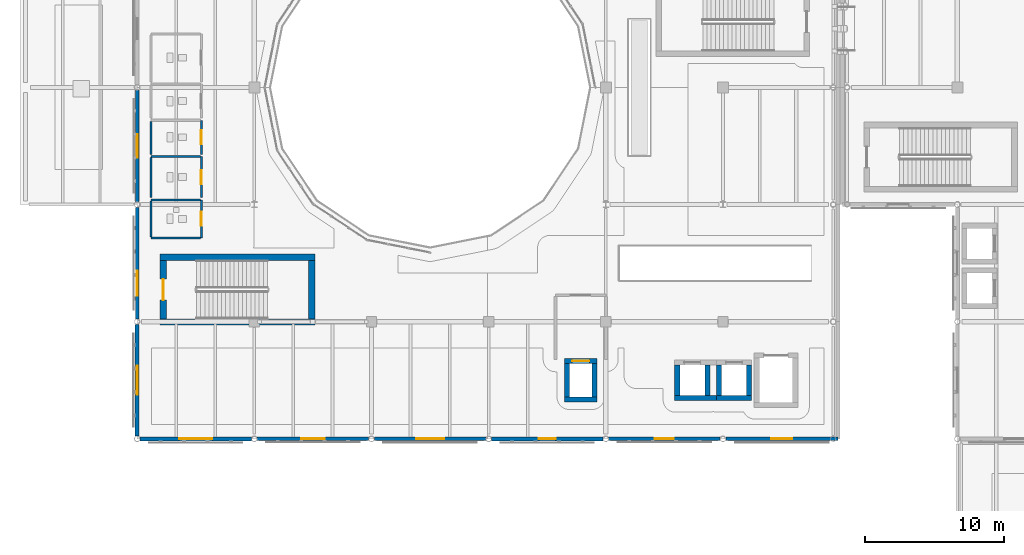
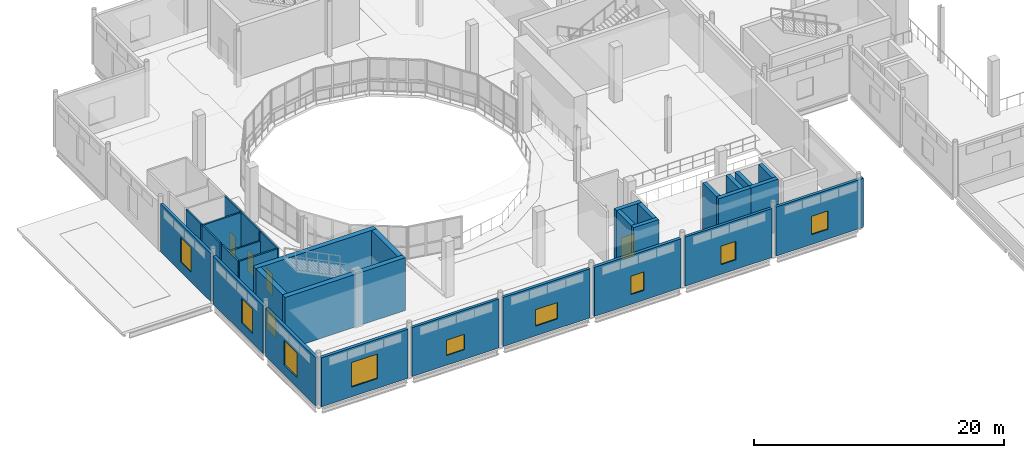
# One storey, part 64 of 110: 32 walls, 9 windows, 5 doors, 14 openings.
"""IFC4 building model written with IfcOpenShell, lengths in metres."""

from ifc_helpers import new_model, si_unit, direction, frame, frame_2d, origin, place, context, subcontext, project, spatial, rectangle, extrude, material, layer, layer_set, type_object, element, fill, save


model = new_model("IFC4")

# Units and contexts
model_context = context("Model", 3, precision=1e-05, world=origin(), true_north=direction((0.0, 1.0)))
body_context = subcontext(model_context, "Body", "Model", "MODEL_VIEW")
ifc_project = project(units=[si_unit("LENGTHUNIT", "METRE"), si_unit("AREAUNIT", "SQUARE_METRE"), si_unit("VOLUMEUNIT", "CUBIC_METRE"), si_unit("PLANEANGLEUNIT", "RADIAN"), si_unit("MASSUNIT", "GRAM", prefix="KILO"), si_unit("THERMODYNAMICTEMPERATUREUNIT", "KELVIN")], contexts=[model_context])

# Site, building, storey
site_placement = place(None, origin())
site = spatial("IfcSite", under=ifc_project, at=site_placement, CompositionType="ELEMENT")
building_placement = place(site_placement, origin())
building = spatial("IfcBuilding", under=site, at=building_placement, Name="Lustrewick Department Store", CompositionType="ELEMENT")
storey_placement = place(building_placement, frame((0.0, 0.0, 6.0)))
storey = spatial("IfcBuildingStorey", under=building, at=storey_placement, Name="L02", CompositionType="ELEMENT", Elevation=6.0)

# Wall, opening, window
ifc_material_1 = material(Name="Precast concrete C40", Category="concrete")
ifc_layer_1 = layer(ifc_material_1, 0.239990234375, Name="Precast concrete C40")
ifc_layer_set_1 = layer_set([ifc_layer_1], Name="Precast concrete C40")
wall_type_1 = type_object("IfcWallType", Name="EW01", PredefinedType="STANDARD", material=ifc_layer_set_1)
wall_1_placement = place(storey_placement, frame((8.39990234375, 67.001953125, 0.0), z_axis=(0.0, 0.0, 1.0), x_axis=(0.0, -1.0, 0.0)))
wall_1 = element("IfcWall", 1, at=wall_1_placement, inside=storey, type_object=wall_type_1, Name="L02 V1 Exterior Wall EW01", PredefinedType="STANDARD", context=body_context, shape_type="SweptSolid", body=[
    extrude(rectangle(XDim=8.00390625, YDim=0.239990234375, at=frame_2d((4.001953125, 0.0))), origin(), (0.0, 0.0, 1.0), 4.697021484375),
])
opening_1_placement = place(wall_1_placement, frame((3.162109375, 0.0, 0.949951171875)))
opening_1 = element("IfcOpeningElement", 2, at=opening_1_placement, cuts=wall_1, Name="Opening WN15", PredefinedType="OPENING", context=body_context, shape_type="SweptSolid", body=[
    extrude(rectangle(XDim=1.679931640625, YDim=2.39990234375, at=frame_2d((0.83984375, 1.199951171875))), frame((0.0, 0.1298828125, 0.0), z_axis=(0.0, -1.0, 0.0), x_axis=(1.0, 0.0, 0.0)), (0.0, 0.0, 1.0), 0.260009765625),
])
ifc_material_2 = material(Name="Thermally broken Low-E triple-glazed window", Category="glass")
window_type_1 = type_object("IfcWindowType", Name="WN15", PartitioningType="DOUBLE_PANEL_VERTICAL", PredefinedType="WINDOW", material=ifc_material_2)
window_1_placement = place(opening_1_placement, origin())
window_1 = element("IfcWindow", 3, at=window_1_placement, inside=storey, type_object=window_type_1, Name="L02 Art Nouveau Window WN15", OverallHeight=2.39990234375, OverallWidth=1.679931640625, PartitioningType="SINGLE_PANEL", PredefinedType="WINDOW", context=body_context, shape_type="SweptSolid", body=[
    extrude(rectangle(XDim=1.679931640625, YDim=2.39990234375, at=frame_2d((0.83984375, 1.199951171875))), frame((0.0, 0.030029296875, 0.0), z_axis=(0.0, -1.0, 0.0), x_axis=(1.0, 0.0, 0.0)), (0.0, 0.0, 1.0), 0.06005859375),
])
fill(opening_1, window_1)

wall_2_placement = place(storey_placement, frame((16.998046875, 42.0, 0.0), z_axis=(0.0, 0.0, 1.0), x_axis=(1.0, 0.0, 0.0)))
wall_2 = element("IfcWall", 4, at=wall_2_placement, inside=storey, type_object=wall_type_1, Name="L02 V1 Exterior Wall EW01", PredefinedType="STANDARD", context=body_context, shape_type="SweptSolid", body=[
    extrude(rectangle(XDim=8.00390625, YDim=0.239990234375, at=frame_2d((4.001953125, 0.0))), origin(), (0.0, 0.0, 1.0), 4.787109375),
])
opening_2_placement = place(wall_2_placement, frame((3.162109375, 0.0, 0.949951171875)))
opening_2 = element("IfcOpeningElement", 5, at=opening_2_placement, cuts=wall_2, Name="Opening WN19", PredefinedType="OPENING", context=body_context, shape_type="SweptSolid", body=[
    extrude(rectangle(XDim=1.679931640625, YDim=1.5, at=frame_2d((0.83984375, 0.75))), frame((0.0, 0.1298828125, 0.0), z_axis=(0.0, -1.0, 0.0), x_axis=(1.0, 0.0, 0.0)), (0.0, 0.0, 1.0), 0.260009765625),
])
window_type_2 = type_object("IfcWindowType", Name="WN19", PartitioningType="DOUBLE_PANEL_VERTICAL", PredefinedType="WINDOW", material=ifc_material_2)
window_2_placement = place(opening_2_placement, origin())
window_2 = element("IfcWindow", 6, at=window_2_placement, inside=storey, type_object=window_type_2, Name="L02 Art Nouveau Window WN19", OverallHeight=1.5, OverallWidth=1.679931640625, PartitioningType="SINGLE_PANEL", PredefinedType="WINDOW", context=body_context, shape_type="SweptSolid", body=[
    extrude(rectangle(XDim=1.679931640625, YDim=1.5, at=frame_2d((0.83984375, 0.75))), frame((0.0, 0.030029296875, 0.0), z_axis=(0.0, -1.0, 0.0), x_axis=(1.0, 0.0, 0.0)), (0.0, 0.0, 1.0), 0.06005859375),
])
fill(opening_2, window_2)

wall_3_placement = place(storey_placement, frame((42.197998046875, 42.0, 0.0), z_axis=(0.0, 0.0, 1.0), x_axis=(1.0, 0.0, 0.0)))
wall_3 = element("IfcWall", 7, at=wall_3_placement, inside=storey, type_object=wall_type_1, Name="L02 V1 Exterior Wall EW01", PredefinedType="STANDARD", context=body_context, shape_type="SweptSolid", body=[
    extrude(rectangle(XDim=8.00390625, YDim=0.239990234375, at=frame_2d((4.001953125, 0.0))), origin(), (0.0, 0.0, 1.0), 4.787109375),
])
opening_3_placement = place(wall_3_placement, frame((3.326904296875, 0.0, 0.949951171875)))
opening_3 = element("IfcOpeningElement", 8, at=opening_3_placement, cuts=wall_3, Name="Opening WN02", PredefinedType="OPENING", context=body_context, shape_type="SweptSolid", body=[
    extrude(rectangle(XDim=1.35009765625, YDim=1.800048828125, at=frame_2d((0.675048828125, 0.89990234375))), frame((0.0, 0.1298828125, 0.0), z_axis=(0.0, -1.0, 0.0), x_axis=(1.0, 0.0, 0.0)), (0.0, 0.0, 1.0), 0.260009765625),
])
window_type_3 = type_object("IfcWindowType", Name="WN02", PartitioningType="DOUBLE_PANEL_VERTICAL", PredefinedType="WINDOW", material=ifc_material_2)
window_3_placement = place(opening_3_placement, origin())
window_3 = element("IfcWindow", 9, at=window_3_placement, inside=storey, type_object=window_type_3, Name="L02 Art Nouveau Window WN02", OverallHeight=1.800048828125, OverallWidth=1.35009765625, PartitioningType="SINGLE_PANEL", PredefinedType="WINDOW", context=body_context, shape_type="SweptSolid", body=[
    extrude(rectangle(XDim=1.35009765625, YDim=1.800048828125, at=frame_2d((0.675048828125, 0.89990234375))), frame((0.0, 0.030029296875, 0.0), z_axis=(0.0, -1.0, 0.0), x_axis=(1.0, 0.0, 0.0)), (0.0, 0.0, 1.0), 0.06005859375),
])
fill(opening_3, window_3)

ifc_layer_2 = layer(ifc_material_1, 0.260009765625, Name="Precast concrete C40")
ifc_layer_set_2 = layer_set([ifc_layer_2], Name="Precast concrete C40")
wall_type_2 = type_object("IfcWallType", Name="EW02", PredefinedType="STANDARD", material=ifc_layer_set_2)
wall_4_placement = place(storey_placement, frame((8.39990234375, 58.60205078125, 0.0), z_axis=(0.0, 0.0, 1.0), x_axis=(0.0, -1.0, 0.0)))
wall_4 = element("IfcWall", 10, at=wall_4_placement, inside=storey, type_object=wall_type_2, Name="L02 V1 Exterior Wall EW02", PredefinedType="STANDARD", context=body_context, shape_type="SweptSolid", body=[
    extrude(rectangle(XDim=8.0185546875, YDim=0.260009765625, at=frame_2d((4.00927734375, 0.0))), origin(), (0.0, 0.0, 1.0), 4.697021484375),
])
opening_4_placement = place(wall_4_placement, frame((4.552490234375, 0.0, 0.949951171875)))
opening_4 = element("IfcOpeningElement", 11, at=opening_4_placement, cuts=wall_4, Name="Opening WN16", PredefinedType="OPENING", context=body_context, shape_type="SweptSolid", body=[
    extrude(rectangle(XDim=1.800048828125, YDim=2.39990234375, at=frame_2d((0.89990234375, 1.199951171875))), frame((0.0, 0.14013671875, 0.0), z_axis=(0.0, -1.0, 0.0), x_axis=(1.0, 0.0, 0.0)), (0.0, 0.0, 1.0), 0.280029296875),
])
window_type_4 = type_object("IfcWindowType", Name="WN16", PartitioningType="DOUBLE_PANEL_VERTICAL", PredefinedType="WINDOW", material=ifc_material_2)
window_4_placement = place(opening_4_placement, origin())
window_4 = element("IfcWindow", 12, at=window_4_placement, inside=storey, type_object=window_type_4, Name="L02 Art Nouveau Window WN16", OverallHeight=2.39990234375, OverallWidth=1.800048828125, PartitioningType="SINGLE_PANEL", PredefinedType="WINDOW", context=body_context, shape_type="SweptSolid", body=[
    extrude(rectangle(XDim=1.800048828125, YDim=2.39990234375, at=frame_2d((0.89990234375, 1.199951171875))), frame((0.0, 0.030029296875, 0.0), z_axis=(0.0, -1.0, 0.0), x_axis=(1.0, 0.0, 0.0)), (0.0, 0.0, 1.0), 0.06005859375),
])
fill(opening_4, window_4)

wall_5_placement = place(storey_placement, frame((25.39794921875, 42.0, 0.0), z_axis=(0.0, 0.0, 1.0), x_axis=(1.0, 0.0, 0.0)))
wall_5 = element("IfcWall", 13, at=wall_5_placement, inside=storey, type_object=wall_type_2, Name="L02 V1 Exterior Wall EW02", PredefinedType="STANDARD", context=body_context, shape_type="SweptSolid", body=[
    extrude(rectangle(XDim=8.004150390625, YDim=0.260009765625, at=frame_2d((4.001953125, 0.0))), origin(), (0.0, 0.0, 1.0), 4.787109375),
])
opening_5_placement = place(wall_5_placement, frame((3.001953125, 0.0, 0.949951171875)))
opening_5 = element("IfcOpeningElement", 14, at=opening_5_placement, cuts=wall_5, Name="Opening WN20", PredefinedType="OPENING", context=body_context, shape_type="SweptSolid", body=[
    extrude(rectangle(XDim=2.0, YDim=1.60009765625, at=frame_2d((1.0, 0.800048828125))), frame((0.0, 0.14013671875, 0.0), z_axis=(0.0, -1.0, 0.0), x_axis=(1.0, 0.0, 0.0)), (0.0, 0.0, 1.0), 0.280029296875),
])
window_type_5 = type_object("IfcWindowType", Name="WN20", PartitioningType="DOUBLE_PANEL_VERTICAL", PredefinedType="WINDOW", material=ifc_material_2)
window_5_placement = place(opening_5_placement, origin())
window_5 = element("IfcWindow", 15, at=window_5_placement, inside=storey, type_object=window_type_5, Name="L02 Art Nouveau Window WN20", OverallHeight=1.60009765625, OverallWidth=2.0, PartitioningType="SINGLE_PANEL", PredefinedType="WINDOW", context=body_context, shape_type="SweptSolid", body=[
    extrude(rectangle(XDim=2.0, YDim=1.60009765625, at=frame_2d((1.0, 0.800048828125))), frame((0.0, 0.030029296875, 0.0), z_axis=(0.0, -1.0, 0.0), x_axis=(1.0, 0.0, 0.0)), (0.0, 0.0, 1.0), 0.06005859375),
])
fill(opening_5, window_5)

wall_6_placement = place(storey_placement, frame((50.597900390625, 42.0, 0.0), z_axis=(0.0, 0.0, 1.0), x_axis=(1.0, 0.0, 0.0)))
wall_6 = element("IfcWall", 16, at=wall_6_placement, inside=storey, type_object=wall_type_2, Name="L02 V1 Exterior Wall EW02", PredefinedType="STANDARD", context=body_context, shape_type="SweptSolid", body=[
    extrude(rectangle(XDim=8.052001953125, YDim=0.260009765625, at=frame_2d((4.02587890625, 0.0))), origin(), (0.0, 0.0, 1.0), 4.787109375),
])
opening_6_placement = place(wall_6_placement, frame((3.27587890625, 0.0, 0.949951171875)))
opening_6 = element("IfcOpeningElement", 17, at=opening_6_placement, cuts=wall_6, Name="Opening WN03", PredefinedType="OPENING", context=body_context, shape_type="SweptSolid", body=[
    extrude(rectangle(XDim=1.5, YDim=1.800048828125, at=frame_2d((0.75, 0.89990234375))), frame((0.0, 0.14013671875, 0.0), z_axis=(0.0, -1.0, 0.0), x_axis=(1.0, 0.0, 0.0)), (0.0, 0.0, 1.0), 0.280029296875),
])
window_type_6 = type_object("IfcWindowType", Name="WN03", PartitioningType="DOUBLE_PANEL_VERTICAL", PredefinedType="WINDOW", material=ifc_material_2)
window_6_placement = place(opening_6_placement, origin())
window_6 = element("IfcWindow", 18, at=window_6_placement, inside=storey, type_object=window_type_6, Name="L02 Art Nouveau Window WN03", OverallHeight=1.800048828125, OverallWidth=1.5, PartitioningType="SINGLE_PANEL", PredefinedType="WINDOW", context=body_context, shape_type="SweptSolid", body=[
    extrude(rectangle(XDim=1.5, YDim=1.800048828125, at=frame_2d((0.75, 0.89990234375))), frame((0.0, 0.030029296875, 0.0), z_axis=(0.0, -1.0, 0.0), x_axis=(1.0, 0.0, 0.0)), (0.0, 0.0, 1.0), 0.06005859375),
])
fill(opening_6, window_6)

ifc_layer_3 = layer(ifc_material_1, 0.280029296875, Name="Precast concrete C40")
ifc_layer_set_3 = layer_set([ifc_layer_3], Name="Precast concrete C40")
wall_type_3 = type_object("IfcWallType", Name="EW03", PredefinedType="STANDARD", material=ifc_layer_set_3)
wall_7_placement = place(storey_placement, frame((8.39990234375, 50.216552734375, 0.0), z_axis=(0.0, 0.0, 1.0), x_axis=(0.0, -1.0, 0.0)))
wall_7 = element("IfcWall", 19, at=wall_7_placement, inside=storey, type_object=wall_type_3, Name="L02 V1 Exterior Wall EW03", PredefinedType="STANDARD", context=body_context, shape_type="SweptSolid", body=[
    extrude(rectangle(XDim=8.0185546875, YDim=0.280029296875, at=frame_2d((4.00927734375, 0.0))), origin(), (0.0, 0.0, 1.0), 4.697021484375),
])
opening_7_placement = place(wall_7_placement, frame((2.959228515625, 0.0, 0.949951171875)))
opening_7 = element("IfcOpeningElement", 20, at=opening_7_placement, cuts=wall_7, Name="Opening WN17", PredefinedType="OPENING", context=body_context, shape_type="SweptSolid", body=[
    extrude(rectangle(XDim=2.10009765625, YDim=2.39990234375, at=frame_2d((1.050048828125, 1.199951171875))), frame((0.0, 0.14990234375, 0.0), z_axis=(0.0, -1.0, 0.0), x_axis=(1.0, 0.0, 0.0)), (0.0, 0.0, 1.0), 0.300048828125),
])
window_type_7 = type_object("IfcWindowType", Name="WN17", PartitioningType="DOUBLE_PANEL_VERTICAL", PredefinedType="WINDOW", material=ifc_material_2)
window_7_placement = place(opening_7_placement, origin())
window_7 = element("IfcWindow", 21, at=window_7_placement, inside=storey, type_object=window_type_7, Name="L02 Art Nouveau Window WN17", OverallHeight=2.39990234375, OverallWidth=2.10009765625, PartitioningType="SINGLE_PANEL", PredefinedType="WINDOW", context=body_context, shape_type="SweptSolid", body=[
    extrude(rectangle(XDim=2.10009765625, YDim=2.39990234375, at=frame_2d((1.050048828125, 1.199951171875))), frame((0.0, 0.030029296875, 0.0), z_axis=(0.0, -1.0, 0.0), x_axis=(1.0, 0.0, 0.0)), (0.0, 0.0, 1.0), 0.06005859375),
])
fill(opening_7, window_7)

wall_8_placement = place(storey_placement, frame((8.597900390625, 42.0, 0.0), z_axis=(0.0, 0.0, 1.0), x_axis=(1.0, 0.0, 0.0)))
wall_8 = element("IfcWall", 22, at=wall_8_placement, inside=storey, type_object=wall_type_3, Name="L02 V1 Exterior Wall EW03", PredefinedType="STANDARD", context=body_context, shape_type="SweptSolid", body=[
    extrude(rectangle(XDim=8.004150390625, YDim=0.280029296875, at=frame_2d((4.001953125, 0.0))), origin(), (0.0, 0.0, 1.0), 4.787109375),
])
opening_8_placement = place(wall_8_placement, frame((2.802001953125, 0.0, 0.949951171875)))
opening_8 = element("IfcOpeningElement", 23, at=opening_8_placement, cuts=wall_8, Name="Opening WN18", PredefinedType="OPENING", context=body_context, shape_type="SweptSolid", body=[
    extrude(rectangle(XDim=2.39990234375, YDim=2.39990234375, at=frame_2d((1.199951171875, 1.199951171875))), frame((0.0, 0.14990234375, 0.0), z_axis=(0.0, -1.0, 0.0), x_axis=(1.0, 0.0, 0.0)), (0.0, 0.0, 1.0), 0.300048828125),
])
window_type_8 = type_object("IfcWindowType", Name="WN18", PartitioningType="DOUBLE_PANEL_VERTICAL", PredefinedType="WINDOW", material=ifc_material_2)
window_8_placement = place(opening_8_placement, origin())
window_8 = element("IfcWindow", 24, at=window_8_placement, inside=storey, type_object=window_type_8, Name="L02 Art Nouveau Window WN18", OverallHeight=2.39990234375, OverallWidth=2.39990234375, PartitioningType="SINGLE_PANEL", PredefinedType="WINDOW", context=body_context, shape_type="SweptSolid", body=[
    extrude(rectangle(XDim=2.39990234375, YDim=2.39990234375, at=frame_2d((1.199951171875, 1.199951171875))), frame((0.0, 0.030029296875, 0.0), z_axis=(0.0, -1.0, 0.0), x_axis=(1.0, 0.0, 0.0)), (0.0, 0.0, 1.0), 0.06005859375),
])
fill(opening_8, window_8)

wall_9_placement = place(storey_placement, frame((33.798095703125, 42.0, 0.0), z_axis=(0.0, 0.0, 1.0), x_axis=(1.0, 0.0, 0.0)))
wall_9 = element("IfcWall", 25, at=wall_9_placement, inside=storey, type_object=wall_type_3, Name="L02 V1 Exterior Wall EW03", PredefinedType="STANDARD", context=body_context, shape_type="SweptSolid", body=[
    extrude(rectangle(XDim=8.00390625, YDim=0.280029296875, at=frame_2d((4.001953125, 0.0))), origin(), (0.0, 0.0, 1.0), 4.787109375),
])
opening_9_placement = place(wall_9_placement, frame((3.402099609375, 0.0, 0.949951171875)))
opening_9 = element("IfcOpeningElement", 26, at=opening_9_placement, cuts=wall_9, Name="Opening WN01", PredefinedType="OPENING", context=body_context, shape_type="SweptSolid", body=[
    extrude(rectangle(XDim=1.199951171875, YDim=1.800048828125, at=frame_2d((0.60009765625, 0.89990234375))), frame((0.0, 0.14990234375, 0.0), z_axis=(0.0, -1.0, 0.0), x_axis=(1.0, 0.0, 0.0)), (0.0, 0.0, 1.0), 0.300048828125),
])
window_type_9 = type_object("IfcWindowType", Name="WN01", PartitioningType="DOUBLE_PANEL_VERTICAL", PredefinedType="WINDOW", material=ifc_material_2)
window_9_placement = place(opening_9_placement, origin())
window_9 = element("IfcWindow", 27, at=window_9_placement, inside=storey, type_object=window_type_9, Name="L02 Art Nouveau Window WN01", OverallHeight=1.800048828125, OverallWidth=1.199951171875, PartitioningType="SINGLE_PANEL", PredefinedType="WINDOW", context=body_context, shape_type="SweptSolid", body=[
    extrude(rectangle(XDim=1.199951171875, YDim=1.800048828125, at=frame_2d((0.60009765625, 0.89990234375))), frame((0.0, 0.030029296875, 0.0), z_axis=(0.0, -1.0, 0.0), x_axis=(1.0, 0.0, 0.0)), (0.0, 0.0, 1.0), 0.06005859375),
])
fill(opening_9, window_9)

# Wall, opening, door
ifc_material_3 = material(Name="Moisture-resistant cement board sanitary partition", Category="gypsum")
ifc_layer_4 = layer(ifc_material_3, 0.14990234375, Name="Moisture-resistant cement board sanitary partition")
ifc_layer_set_4 = layer_set([ifc_layer_4], Name="Moisture-resistant cement board sanitary partition")
wall_type_4 = type_object("IfcWallType", Name="PW05", PredefinedType="PARTITIONING", material=ifc_layer_set_4)
wall_10_placement = place(storey_placement, frame((13.0, 56.39990234375, 0.0), z_axis=(0.0, 0.0, 1.0), x_axis=(0.0, 1.0, 0.0)))
wall_10 = element("IfcWall", 28, at=wall_10_placement, inside=storey, type_object=wall_type_4, Name="L02 Male Public WC PW05", PredefinedType="PARTITIONING", context=body_context, shape_type="SweptSolid", body=[
    extrude(rectangle(XDim=2.739990234375, YDim=0.14990234375, at=frame_2d((1.3701171875, 0.0))), origin(), (0.0, 0.0, 1.0), 5.14501953125),
])
opening_10_placement = place(wall_10_placement, frame((0.8701171875, 0.0, 0.0)))
opening_10 = element("IfcOpeningElement", 29, at=opening_10_placement, cuts=wall_10, Name="Opening D-L02-042", PredefinedType="OPENING", context=body_context, shape_type="SweptSolid", body=[
    extrude(rectangle(XDim=1.0, YDim=2.10009765625, at=frame_2d((0.5, 1.050048828125))), frame((0.0, 0.0849609375, 0.0), z_axis=(0.0, -1.0, 0.0), x_axis=(1.0, 0.0, 0.0)), (0.0, 0.0, 1.0), 0.169921875),
])
ifc_material_4 = material(Name="Moisture-resistant laminate sanitary door", Category="steel")
door_type_1 = type_object("IfcDoorType", Name="DT-11", OperationType="NOTDEFINED", PredefinedType="DOOR", material=ifc_material_4)
door_1_placement = place(opening_10_placement, origin())
door_1 = element("IfcDoor", 30, at=door_1_placement, inside=storey, type_object=door_type_1, Name="L02 Male Public WC Door D-L02-042", OperationType="SINGLE_SWING_RIGHT", OverallHeight=2.10009765625, OverallWidth=1.0, PredefinedType="DOOR", context=body_context, shape_type="SweptSolid", body=[
    extrude(rectangle(XDim=1.0, YDim=2.10009765625, at=frame_2d((0.5, 1.050048828125))), frame((0.0, 0.02490234375, 0.0), z_axis=(0.0, -1.0, 0.0), x_axis=(1.0, 0.0, 0.0)), (0.0, 0.0, 1.0), 0.050048828125),
])
fill(opening_10, door_1)

# Walls
wall_11_placement = place(storey_placement, frame((9.39990234375, 56.39990234375, 0.0), z_axis=(0.0, 0.0, 1.0), x_axis=(1.0, 0.0, 0.0)))
element("IfcWall", 31, at=wall_11_placement, inside=storey, type_object=wall_type_4, Name="L02 Male Public WC PW05", PredefinedType="PARTITIONING", context=body_context, shape_type="SweptSolid", body=[
    extrude(rectangle(XDim=3.530029296875, YDim=0.14990234375, at=frame_2d((1.76513671875, 0.0))), origin(), (0.0, 0.0, 1.0), 5.14501953125),
])
wall_12_placement = place(storey_placement, frame((12.929931640625, 59.139892578125, 0.0), z_axis=(0.0, 0.0, 1.0), x_axis=(-1.0, 0.0, 0.0)))
element("IfcWall", 32, at=wall_12_placement, inside=storey, type_object=wall_type_4, Name="L02 Male Public WC PW05", PredefinedType="PARTITIONING", context=body_context, shape_type="SweptSolid", body=[
    extrude(rectangle(XDim=3.530029296875, YDim=0.14990234375, at=frame_2d((1.76513671875, 0.0))), origin(), (0.0, 0.0, 1.0), 4.237060546875),
])
wall_13_placement = place(storey_placement, frame((9.39990234375, 59.070068359375, 0.0), z_axis=(0.0, 0.0, 1.0), x_axis=(0.0, -1.0, 0.0)))
element("IfcWall", 33, at=wall_13_placement, inside=storey, type_object=wall_type_4, Name="L02 Male Public WC PW05", PredefinedType="PARTITIONING", context=body_context, shape_type="SweptSolid", body=[
    extrude(rectangle(XDim=2.60009765625, YDim=0.14990234375, at=frame_2d((1.300048828125, 0.0))), origin(), (0.0, 0.0, 1.0), 5.14501953125),
])

# Wall, opening, door
wall_14_placement = place(storey_placement, frame((13.0, 59.300048828125, 0.0), z_axis=(0.0, 0.0, 1.0), x_axis=(0.0, 1.0, 0.0)))
wall_14 = element("IfcWall", 34, at=wall_14_placement, inside=storey, type_object=wall_type_4, Name="L02 Female Public WC PW05", PredefinedType="PARTITIONING", context=body_context, shape_type="SweptSolid", body=[
    extrude(rectangle(XDim=2.93994140625, YDim=0.14990234375, at=frame_2d((1.469970703125, 0.0))), origin(), (0.0, 0.0, 1.0), 5.14501953125),
])
opening_11_placement = place(wall_14_placement, frame((0.969970703125, 0.0, 0.0)))
opening_11 = element("IfcOpeningElement", 35, at=opening_11_placement, cuts=wall_14, Name="Opening D-L02-043", PredefinedType="OPENING", context=body_context, shape_type="SweptSolid", body=[
    extrude(rectangle(XDim=1.0, YDim=2.10009765625, at=frame_2d((0.5, 1.050048828125))), frame((0.0, 0.0849609375, 0.0), z_axis=(0.0, -1.0, 0.0), x_axis=(1.0, 0.0, 0.0)), (0.0, 0.0, 1.0), 0.169921875),
])
door_2_placement = place(opening_11_placement, origin())
door_2 = element("IfcDoor", 36, at=door_2_placement, inside=storey, type_object=door_type_1, Name="L02 Female Public WC Door D-L02-043", OperationType="SINGLE_SWING_LEFT", OverallHeight=2.10009765625, OverallWidth=1.0, PredefinedType="DOOR", context=body_context, shape_type="SweptSolid", body=[
    extrude(rectangle(XDim=1.0, YDim=2.10009765625, at=frame_2d((0.5, 1.050048828125))), frame((0.0, 0.02490234375, 0.0), z_axis=(0.0, -1.0, 0.0), x_axis=(1.0, 0.0, 0.0)), (0.0, 0.0, 1.0), 0.050048828125),
])
fill(opening_11, door_2)

# Walls
wall_15_placement = place(storey_placement, frame((12.929931640625, 62.239990234375, 0.0), z_axis=(0.0, 0.0, 1.0), x_axis=(-1.0, 0.0, 0.0)))
element("IfcWall", 37, at=wall_15_placement, inside=storey, type_object=wall_type_4, Name="L02 Female Public WC PW05", PredefinedType="PARTITIONING", context=body_context, shape_type="SweptSolid", body=[
    extrude(rectangle(XDim=3.530029296875, YDim=0.14990234375, at=frame_2d((1.76513671875, 0.0))), origin(), (0.0, 0.0, 1.0), 5.14501953125),
])
wall_16_placement = place(storey_placement, frame((9.39990234375, 62.169921875, 0.0), z_axis=(0.0, 0.0, 1.0), x_axis=(0.0, -1.0, 0.0)))
element("IfcWall", 38, at=wall_16_placement, inside=storey, type_object=wall_type_4, Name="L02 Female Public WC PW05", PredefinedType="PARTITIONING", context=body_context, shape_type="SweptSolid", body=[
    extrude(rectangle(XDim=2.869873046875, YDim=0.14990234375, at=frame_2d((1.43505859375, 0.0))), origin(), (0.0, 0.0, 1.0), 5.14501953125),
])

# Wall, opening, door
wall_17_placement = place(storey_placement, frame((13.0, 62.39990234375, 0.0), z_axis=(0.0, 0.0, 1.0), x_axis=(0.0, 1.0, 0.0)))
wall_17 = element("IfcWall", 39, at=wall_17_placement, inside=storey, type_object=wall_type_4, Name="L02 Accessible WC PW05", PredefinedType="PARTITIONING", context=body_context, shape_type="SweptSolid", body=[
    extrude(rectangle(XDim=2.440185546875, YDim=0.14990234375, at=frame_2d((1.22021484375, 0.0))), origin(), (0.0, 0.0, 1.0), 5.14501953125),
])
opening_12_placement = place(wall_17_placement, frame((0.72998046875, 0.0, 0.0)))
opening_12 = element("IfcOpeningElement", 40, at=opening_12_placement, cuts=wall_17, Name="Opening D-L02-044", PredefinedType="OPENING", context=body_context, shape_type="SweptSolid", body=[
    extrude(rectangle(XDim=0.97998046875, YDim=2.10009765625, at=frame_2d((0.489990234375, 1.050048828125))), frame((0.0, 0.0849609375, 0.0), z_axis=(0.0, -1.0, 0.0), x_axis=(1.0, 0.0, 0.0)), (0.0, 0.0, 1.0), 0.169921875),
])
ifc_material_5 = material(Name="Barrier-free accessible sanitary door", Category="steel")
door_type_2 = type_object("IfcDoorType", Name="DT-12", OperationType="NOTDEFINED", PredefinedType="DOOR", material=ifc_material_5)
door_3_placement = place(opening_12_placement, origin())
door_3 = element("IfcDoor", 41, at=door_3_placement, inside=storey, type_object=door_type_2, Name="L02 Accessible WC Door D-L02-044", OperationType="SINGLE_SWING_RIGHT", OverallHeight=2.10009765625, OverallWidth=0.97998046875, PredefinedType="DOOR", context=body_context, shape_type="SweptSolid", body=[
    extrude(rectangle(XDim=0.97998046875, YDim=2.10009765625, at=frame_2d((0.489990234375, 1.050048828125))), frame((0.0, 0.02490234375, 0.0), z_axis=(0.0, -1.0, 0.0), x_axis=(1.0, 0.0, 0.0)), (0.0, 0.0, 1.0), 0.050048828125),
])
fill(opening_12, door_3)

# Walls
wall_18_placement = place(storey_placement, frame((9.39990234375, 64.77001953125, 0.0), z_axis=(0.0, 0.0, 1.0), x_axis=(0.0, -1.0, 0.0)))
element("IfcWall", 42, at=wall_18_placement, inside=storey, type_object=wall_type_4, Name="L02 Accessible WC PW05", PredefinedType="PARTITIONING", context=body_context, shape_type="SweptSolid", body=[
    extrude(rectangle(XDim=2.3701171875, YDim=0.14990234375, at=frame_2d((1.18505859375, 0.0))), origin(), (0.0, 0.0, 1.0), 5.14501953125),
])
ifc_material_6 = material(Name="Concrete C50", Category="concrete")
ifc_layer_5 = layer(ifc_material_6, 0.449951171875, Name="Concrete C50")
ifc_layer_set_5 = layer_set([ifc_layer_5], Name="Concrete C50")
wall_type_5 = type_object("IfcWallType", Name="SW01", PredefinedType="SHEAR", material=ifc_layer_set_5)
wall_19_placement = place(storey_placement, frame((10.050048828125, 50.375, 0.0), z_axis=(0.0, 0.0, 1.0), x_axis=(1.0, 0.0, 0.0)))
element("IfcWall", 43, at=wall_19_placement, inside=storey, type_object=wall_type_5, Name="L02 Stair Core ST01 Shear Wall S", PredefinedType="SHEAR", context=body_context, shape_type="SweptSolid", body=[
    extrude(rectangle(XDim=11.099853515625, YDim=0.449951171875, at=frame_2d((5.5498046875, 0.0))), origin(), (0.0, 0.0, 1.0), 5.14501953125),
])
wall_20_placement = place(storey_placement, frame((20.925048828125, 50.60009765625, 0.0), z_axis=(0.0, 0.0, 1.0), x_axis=(0.0, 1.0, 0.0)))
element("IfcWall", 44, at=wall_20_placement, inside=storey, type_object=wall_type_5, Name="L02 Stair Core ST01 Shear Wall E", PredefinedType="SHEAR", context=body_context, shape_type="SweptSolid", body=[
    extrude(rectangle(XDim=4.199951171875, YDim=0.449951171875, at=frame_2d((2.10009765625, 0.0))), origin(), (0.0, 0.0, 1.0), 5.14501953125),
])
wall_21_placement = place(storey_placement, frame((21.14990234375, 55.02490234375, 0.0), z_axis=(0.0, 0.0, 1.0), x_axis=(-1.0, 0.0, 0.0)))
element("IfcWall", 45, at=wall_21_placement, inside=storey, type_object=wall_type_5, Name="L02 Stair Core ST01 Shear Wall N", PredefinedType="SHEAR", context=body_context, shape_type="SweptSolid", body=[
    extrude(rectangle(XDim=11.099853515625, YDim=0.449951171875, at=frame_2d((5.5498046875, 0.0))), origin(), (0.0, 0.0, 1.0), 5.14501953125),
])

# Wall, opening, door
wall_22_placement = place(storey_placement, frame((10.27490234375, 54.800048828125, 0.0), z_axis=(0.0, 0.0, 1.0), x_axis=(0.0, -1.0, 0.0)))
wall_22 = element("IfcWall", 46, at=wall_22_placement, inside=storey, type_object=wall_type_5, Name="L02 Stair Core ST01 Shear Wall W", PredefinedType="SHEAR", context=body_context, shape_type="SweptSolid", body=[
    extrude(rectangle(XDim=4.199951171875, YDim=0.449951171875, at=frame_2d((2.10009765625, 0.0))), origin(), (0.0, 0.0, 1.0), 5.14501953125),
])
opening_13_placement = place(wall_22_placement, frame((1.35009765625, 0.0, 0.0)))
opening_13 = element("IfcOpeningElement", 47, at=opening_13_placement, cuts=wall_22, Name="Opening D-L02-001", PredefinedType="OPENING", context=body_context, shape_type="SweptSolid", body=[
    extrude(rectangle(XDim=1.5, YDim=2.14990234375, at=frame_2d((0.75, 1.074951171875))), frame((0.0, 0.23486328125, 0.0), z_axis=(0.0, -1.0, 0.0), x_axis=(1.0, 0.0, 0.0)), (0.0, 0.0, 1.0), 0.469970703125),
])
ifc_material_7 = material(Name="Steel fire door Class B EI 60", Category="steel")
door_type_3 = type_object("IfcDoorType", Name="DT-07", OperationType="NOTDEFINED", PredefinedType="DOOR", material=ifc_material_7)
door_4_placement = place(opening_13_placement, origin())
door_4 = element("IfcDoor", 48, at=door_4_placement, inside=storey, type_object=door_type_3, Name="L02 Smoke-Proof Stair ST01 Fire Door", OperationType="SINGLE_SWING_RIGHT", OverallHeight=2.14990234375, OverallWidth=1.5, PredefinedType="DOOR", context=body_context, shape_type="SweptSolid", body=[
    extrude(rectangle(XDim=1.5, YDim=2.14990234375, at=frame_2d((0.75, 1.074951171875))), frame((0.0, 0.02490234375, 0.0), z_axis=(0.0, -1.0, 0.0), x_axis=(1.0, 0.0, 0.0)), (0.0, 0.0, 1.0), 0.050048828125),
])
fill(opening_13, door_4)

# Walls
ifc_material_8 = material(Name="Concrete C40", Category="concrete")
ifc_layer_6 = layer(ifc_material_8, 0.360107421875, Name="Concrete C40")
ifc_layer_set_6 = layer_set([ifc_layer_6], Name="Concrete C40")
wall_type_6 = type_object("IfcWallType", Name="SW04", PredefinedType="SHEAR", material=ifc_layer_set_6)
wall_23_placement = place(storey_placement, frame((39.0400390625, 44.820068359375, 0.0), z_axis=(0.0, 0.0, 1.0), x_axis=(1.0, 0.0, 0.0)))
element("IfcWall", 49, at=wall_23_placement, inside=storey, type_object=wall_type_6, Name="L02 Lift FFL-01 Shaft Wall -Y", PredefinedType="SHEAR", context=body_context, shape_type="SweptSolid", body=[
    extrude(rectangle(XDim=2.320068359375, YDim=0.360107421875, at=frame_2d((1.16015625, 0.0))), origin(), (0.0, 0.0, 1.0), 5.14501953125),
])
wall_24_placement = place(storey_placement, frame((41.179931640625, 45.0, 0.0), z_axis=(0.0, 0.0, 1.0), x_axis=(0.0, 1.0, 0.0)))
element("IfcWall", 50, at=wall_24_placement, inside=storey, type_object=wall_type_6, Name="L02 Lift FFL-01 Shaft Wall +X", PredefinedType="SHEAR", context=body_context, shape_type="SweptSolid", body=[
    extrude(rectangle(XDim=2.39990234375, YDim=0.360107421875, at=frame_2d((1.199951171875, 0.0))), origin(), (0.0, 0.0, 1.0), 5.14501953125),
])

# Wall, opening, door
wall_25_placement = place(storey_placement, frame((41.360107421875, 47.580078125, 0.0), z_axis=(0.0, 0.0, 1.0), x_axis=(-1.0, 0.0, 0.0)))
wall_25 = element("IfcWall", 51, at=wall_25_placement, inside=storey, type_object=wall_type_6, Name="L02 Lift FFL-01 Shaft Wall +Y", PredefinedType="SHEAR", context=body_context, shape_type="SweptSolid", body=[
    extrude(rectangle(XDim=2.320068359375, YDim=0.360107421875, at=frame_2d((1.16015625, 0.0))), origin(), (0.0, 0.0, 1.0), 5.14501953125),
])
opening_14_placement = place(wall_25_placement, frame((0.534912109375, 0.0, 0.0)))
opening_14 = element("IfcOpeningElement", 52, at=opening_14_placement, cuts=wall_25, Name="Opening LD-L02-01", PredefinedType="OPENING", context=body_context, shape_type="SweptSolid", body=[
    extrude(rectangle(XDim=1.25, YDim=2.199951171875, at=frame_2d((0.625, 1.10009765625))), frame((0.0, 0.18994140625, 0.0), z_axis=(0.0, -1.0, 0.0), x_axis=(1.0, 0.0, 0.0)), (0.0, 0.0, 1.0), 0.380126953125),
])
ifc_material_9 = material(Name="Stainless steel firefighting lift landing door EI 90", Category="steel")
door_type_4 = type_object("IfcDoorType", Name="DT-15", OperationType="NOTDEFINED", PredefinedType="DOOR", material=ifc_material_9)
door_5_placement = place(opening_14_placement, frame((1.25, 0.0, 0.0), z_axis=(0.0, 0.0, 1.0), x_axis=(-1.0, 0.0, 0.0)))
door_5 = element("IfcDoor", 53, at=door_5_placement, inside=storey, type_object=door_type_4, Name="L02 Lift FFL-01 Sliding Landing Door LD-L02-01", OperationType="DOUBLE_DOOR_SLIDING", OverallHeight=2.199951171875, OverallWidth=1.25, PredefinedType="DOOR", context=body_context, shape_type="SweptSolid", body=[
    extrude(rectangle(XDim=1.25, YDim=2.199951171875, at=frame_2d((0.625, 1.10009765625))), frame((0.0, 0.02490234375, 0.0), z_axis=(0.0, -1.0, 0.0), x_axis=(1.0, 0.0, 0.0)), (0.0, 0.0, 1.0), 0.050048828125),
])
fill(opening_14, door_5)

# Walls
wall_26_placement = place(storey_placement, frame((39.219970703125, 47.39990234375, 0.0), z_axis=(0.0, 0.0, 1.0), x_axis=(0.0, -1.0, 0.0)))
element("IfcWall", 54, at=wall_26_placement, inside=storey, type_object=wall_type_6, Name="L02 Lift FFL-01 Shaft Wall -X", PredefinedType="SHEAR", context=body_context, shape_type="SweptSolid", body=[
    extrude(rectangle(XDim=2.39990234375, YDim=0.360107421875, at=frame_2d((1.199951171875, 0.0))), origin(), (0.0, 0.0, 1.0), 5.14501953125),
])
wall_27_placement = place(storey_placement, frame((46.93994140625, 44.919921875, 0.0), z_axis=(0.0, 0.0, 1.0), x_axis=(1.0, 0.0, 0.0)))
element("IfcWall", 55, at=wall_27_placement, inside=storey, type_object=wall_type_6, Name="L02 Lift PL-01 Shaft Wall -Y", PredefinedType="SHEAR", context=body_context, shape_type="SweptSolid", body=[
    extrude(rectangle(XDim=3.0, YDim=0.360107421875, at=frame_2d((1.5, 0.0))), origin(), (0.0, 0.0, 1.0), 5.14501953125),
])
for number, where, z_axis, x_axis, name in (
    (56, (49.280029296875, 45.10009765625, 0.0), (0.0, 0.0, 1.0), (0.0, 1.0, 0.0), "L02 Lift PL-01 Shaft Wall +X"),
    (57, (47.1201171875, 47.300048828125, 0.0), (0.0, 0.0, 1.0), (0.0, -1.0, 0.0), "L02 Lift PL-01 Shaft Wall -X"),
):
    element("IfcWall", number, at=place(storey_placement, frame(where, z_axis=z_axis, x_axis=x_axis)), inside=storey, type_object=wall_type_6, Name=name, PredefinedType="SHEAR", context=body_context, shape_type="SweptSolid", body=[
        extrude(rectangle(XDim=2.199951171875, YDim=0.360107421875, at=frame_2d((1.10009765625, 0.0))), origin(), (0.0, 0.0, 1.0), 5.14501953125),
    ])
wall_28_placement = place(storey_placement, frame((49.93994140625, 44.919921875, 0.0), z_axis=(0.0, 0.0, 1.0), x_axis=(1.0, 0.0, 0.0)))
element("IfcWall", 58, at=wall_28_placement, inside=storey, type_object=wall_type_6, Name="L02 Lift PL-02 Shaft Wall -Y", PredefinedType="SHEAR", context=body_context, shape_type="SweptSolid", body=[
    extrude(rectangle(XDim=2.52001953125, YDim=0.360107421875, at=frame_2d((1.260009765625, 0.0))), origin(), (0.0, 0.0, 1.0), 5.14501953125),
])
for number, where, z_axis, x_axis, name in (
    (59, (52.280029296875, 45.10009765625, 0.0), (0.0, 0.0, 1.0), (0.0, 1.0, 0.0), "L02 Lift PL-02 Shaft Wall +X"),
    (60, (50.1201171875, 47.300048828125, 0.0), (0.0, 0.0, 1.0), (0.0, -1.0, 0.0), "L02 Lift PL-02 Shaft Wall -X"),
):
    element("IfcWall", number, at=place(storey_placement, frame(where, z_axis=z_axis, x_axis=x_axis)), inside=storey, type_object=wall_type_6, Name=name, PredefinedType="SHEAR", context=body_context, shape_type="SweptSolid", body=[
        extrude(rectangle(XDim=2.199951171875, YDim=0.360107421875, at=frame_2d((1.10009765625, 0.0))), origin(), (0.0, 0.0, 1.0), 5.14501953125),
    ])

save(model, "model.ifc")
